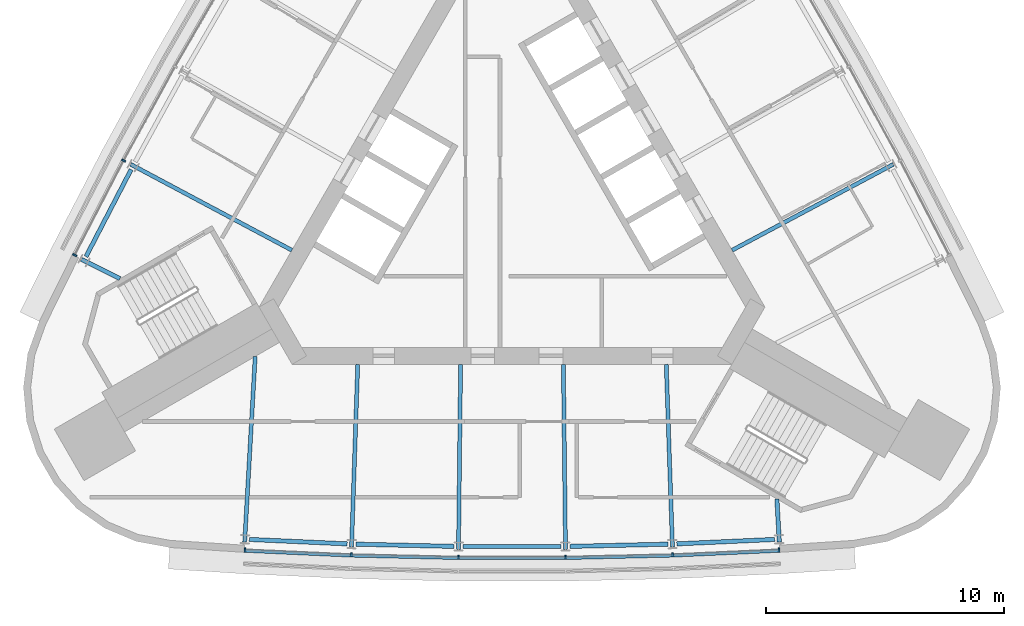
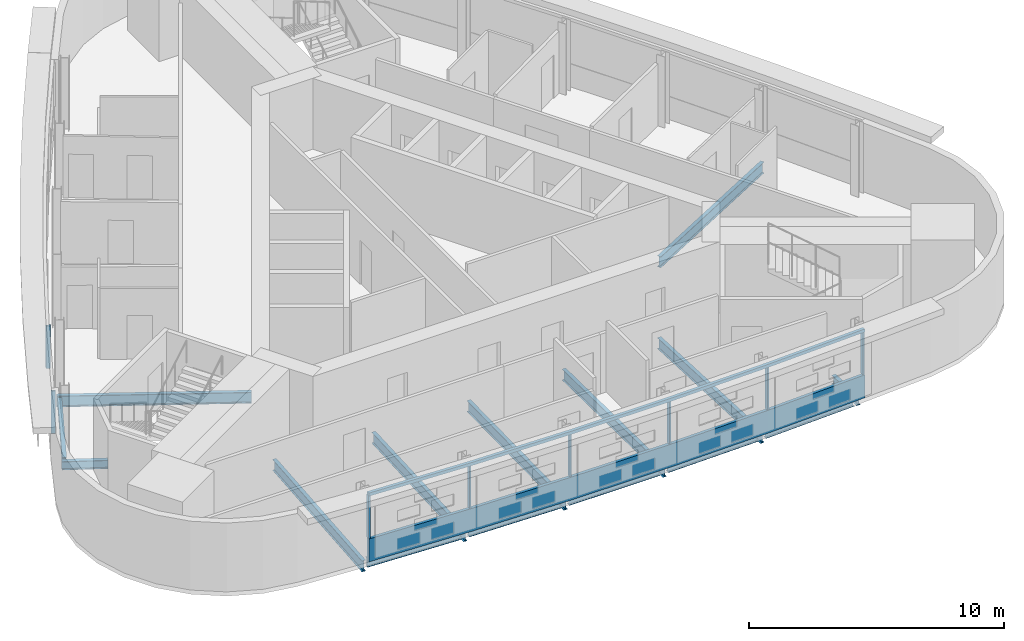
# One storey, part 2 of 9: 15 beams, 10 members, 2 elements without a shape of their own.
"""IFC4 building model written with IfcOpenShell, lengths in metres."""

from ifc_helpers import new_model, si_unit, direction, frame, origin, origin_2d, place, context, subcontext, project, spatial, polyline, rectangle, i_section, outline, extrude, material, material_profile, profile_set, type_object, element, aggregate, save


model = new_model("IFC4")

# Units and contexts
model_context = context("Model", 3, precision=1e-05, world=origin(), true_north=direction((0.0, 1.0)))
body_context = subcontext(model_context, "Body", "Model", "MODEL_VIEW")
ifc_project = project(units=[si_unit("LENGTHUNIT", "METRE"), si_unit("AREAUNIT", "SQUARE_METRE"), si_unit("VOLUMEUNIT", "CUBIC_METRE"), si_unit("PLANEANGLEUNIT", "RADIAN"), si_unit("MASSUNIT", "GRAM", prefix="KILO")], contexts=[model_context])

# Site, building, storey
site_placement = place(None, origin())
site = spatial("IfcSite", under=ifc_project, at=site_placement, CompositionType="ELEMENT")
building_placement = place(site_placement, origin())
building = spatial("IfcBuilding", under=site, at=building_placement, Name="Noor Cloister Tower", CompositionType="ELEMENT")
storey_placement = place(building_placement, frame((0.0, 0.0, 236.39990234375)))
storey = spatial("IfcBuildingStorey", under=building, at=storey_placement, Name="L61", CompositionType="ELEMENT", Elevation=236.39990234375)

# Curtain wall, member
ifc_material_1 = material(Name="Aluminium 6063-T6 anodised", Category="aluminium")
curtain_wall_type = type_object("IfcCurtainWallType", Name="Ribbon curtain wall, upper tower CW5", PredefinedType="NOTDEFINED", material=ifc_material_1)
curtain_wall_1_placement = place(storey_placement, origin())
curtain_wall_1 = element("IfcCurtainWall", 1, at=curtain_wall_1_placement, inside=storey, type_object=curtain_wall_type, Name="CW5 L61 S run 2", PredefinedType="NOTDEFINED")
ifc_material_2 = material(Name="Aluminium 6063-T6 anodised", Category="aluminium")
member_type_1 = type_object("IfcMemberType", Name="Head transom CW5 150", PredefinedType="USERDEFINED", material=ifc_material_2)
member_1_placement = place(storey_placement, frame((0.0, 0.0, 3.150146484375)))
member_1 = element("IfcMember", 2, at=member_1_placement, type_object=member_type_1, Name="CW5 head transom", ObjectType="TRANSOM", PredefinedType="USERDEFINED", context=body_context, shape_type="SweptSolid", body=[
    extrude(outline(polyline([(-11.243896484375, -14.820068359375), (-6.748779296875, -15.02392578125), (-2.25, -15.125732421875), (2.25, -15.125732421875), (6.748779296875, -15.02392578125), (11.243896484375, -14.820068359375), (11.237548828125, -14.68017578125), (6.743896484375, -14.884033203125), (2.248291015625, -14.98583984375), (-2.248291015625, -14.98583984375), (-6.743896484375, -14.884033203125), (-11.237548828125, -14.68017578125), (-11.243896484375, -14.820068359375)])), origin(), (0.0, 0.0, 1.0), 0.14990234375),
])

# Curtain wall, members
curtain_wall_2_placement = place(storey_placement, origin())
curtain_wall_2 = element("IfcCurtainWall", 3, at=curtain_wall_2_placement, inside=storey, type_object=curtain_wall_type, Name="CW5 L61 NW run 1", PredefinedType="NOTDEFINED")
ifc_material_3 = material(Name="Aluminium 6063-T6 anodised", Category="aluminium")
ifc_material_profile_1 = material_profile(ifc_material_3, rectangle(XDim=0.179931640625, YDim=0.070068359375, at=origin_2d()), Name="180 x 70 mullion")
ifc_profile_set_1 = profile_set([ifc_material_profile_1], Name="Aluminium 6063-T6 anodised")
member_type_2 = type_object("IfcMemberType", Name="Mullion CW5 70 x 180", PredefinedType="MULLION", material=ifc_profile_set_1)
member_2_placement = place(storey_placement, frame((-16.297119140625, 1.620361328125, 1.10009765625), z_axis=(0.0, 0.0, 1.0), x_axis=(0.882510233786, -0.470293192874, 0.0)))
member_2 = element("IfcMember", 4, at=member_2_placement, type_object=member_type_2, Name="CW5 mullion 5", PredefinedType="MULLION", context=body_context, shape_type="SweptSolid", body=[
    extrude(rectangle(XDim=0.179931640625, YDim=0.070068359375, at=origin_2d()), origin(), (0.0, 0.0, 1.0), 2.050048828125),
])
member_3_placement = place(storey_placement, frame((-18.3515625, -2.342529296875, 1.10009765625), z_axis=(0.0, 0.0, 1.0), x_axis=(0.887779720384, -0.460268582541, 0.0)))
member_3 = element("IfcMember", 5, at=member_3_placement, type_object=member_type_2, Name="CW5 mullion 6", PredefinedType="MULLION", context=body_context, shape_type="SweptSolid", body=[
    extrude(rectangle(XDim=0.179931640625, YDim=0.070068359375, at=origin_2d()), origin(), (0.0, 0.0, 1.0), 2.050048828125),
])
aggregate(curtain_wall_2, [member_2, member_3])

# Member
member_4_placement = place(storey_placement, frame((-11.20458984375, -14.7216796875, 1.10009765625), z_axis=(0.0, 0.0, 1.0), x_axis=(0.045285575148, 0.998974082088, 0.0)))
member_4 = element("IfcMember", 6, at=member_4_placement, type_object=member_type_2, Name="CW5 mullion 1", PredefinedType="MULLION", context=body_context, shape_type="SweptSolid", body=[
    extrude(rectangle(XDim=0.179931640625, YDim=0.070068359375, at=origin_2d()), origin(), (0.0, 0.0, 1.0), 2.050048828125),
])

member_5_placement = place(storey_placement, frame((-6.745361328125, -14.923828125, 1.10009765625), z_axis=(0.0, 0.0, 1.0), x_axis=(0.033969264638, 0.999422877995, 0.0)))
member_5 = element("IfcMember", 7, at=member_5_placement, type_object=member_type_2, Name="CW5 mullion 2", PredefinedType="MULLION", context=body_context, shape_type="SweptSolid", body=[
    extrude(rectangle(XDim=0.179931640625, YDim=0.070068359375, at=origin_2d()), origin(), (0.0, 0.0, 1.0), 2.050048828125),
])

member_6_placement = place(storey_placement, frame((-2.248779296875, -15.02587890625, 1.10009765625), z_axis=(0.0, 0.0, 1.0), x_axis=(0.011325024885, 0.999935869849, 0.0)))
member_6 = element("IfcMember", 8, at=member_6_placement, type_object=member_type_2, Name="CW5 mullion 3", PredefinedType="MULLION", context=body_context, shape_type="SweptSolid", body=[
    extrude(rectangle(XDim=0.179931640625, YDim=0.070068359375, at=origin_2d()), origin(), (0.0, 0.0, 1.0), 2.050048828125),
])

member_7_placement = place(storey_placement, frame((2.248779296875, -15.02587890625, 1.10009765625), z_axis=(0.0, 0.0, 1.0), x_axis=(-0.011325024885, 0.999935869849, 0.0)))
member_7 = element("IfcMember", 9, at=member_7_placement, type_object=member_type_2, Name="CW5 mullion 4", PredefinedType="MULLION", context=body_context, shape_type="SweptSolid", body=[
    extrude(rectangle(XDim=0.179931640625, YDim=0.070068359375, at=origin_2d()), origin(), (0.0, 0.0, 1.0), 2.050048828125),
])

member_8_placement = place(storey_placement, frame((6.745361328125, -14.923828125, 1.10009765625), z_axis=(0.0, 0.0, 1.0), x_axis=(-0.033969264638, 0.999422877995, 0.0)))
member_8 = element("IfcMember", 10, at=member_8_placement, type_object=member_type_2, Name="CW5 mullion 5", PredefinedType="MULLION", context=body_context, shape_type="SweptSolid", body=[
    extrude(rectangle(XDim=0.179931640625, YDim=0.070068359375, at=origin_2d()), origin(), (0.0, 0.0, 1.0), 2.050048828125),
])

member_9_placement = place(storey_placement, frame((11.20458984375, -14.7216796875, 1.10009765625), z_axis=(0.0, 0.0, 1.0), x_axis=(-0.045285575148, 0.998974082088, 0.0)))
member_9 = element("IfcMember", 11, at=member_9_placement, type_object=member_type_2, Name="CW5 mullion 6", PredefinedType="MULLION", context=body_context, shape_type="SweptSolid", body=[
    extrude(rectangle(XDim=0.179931640625, YDim=0.070068359375, at=origin_2d()), origin(), (0.0, 0.0, 1.0), 2.050048828125),
])

# Beams
ifc_material_4 = material(Name="Steel ASTM A992 Gr 50", Category="steel")
ifc_material_profile_2 = material_profile(ifc_material_4, i_section(OverallWidth=0.177978515625, OverallDepth=0.406005859375, WebThickness=0.0078125, FlangeThickness=0.0126953125, FilletRadius=0.01025390625, at=origin_2d()), Name="W410x60")
ifc_profile_set_2 = profile_set([ifc_material_profile_2], Name="Steel ASTM A992 Gr 50")
beam_type_1 = type_object("IfcBeamType", Name="Radial beam W410x60", PredefinedType="BEAM", material=ifc_profile_set_2)
for number, where, z_axis, x_axis, name in (
    (12, (-18.069091796875, -2.52294921875, -0.40283203125), (0.892938758835, -0.450178156923, 0.0), (0.450178156923, 0.892938758835, 0.0), "Radial beam NW 06 L61"),
    (13, (11.219482421875, -14.38671875, -0.40283203125), (-0.056642671396, 0.998394515098, 0.0), (-0.998394515098, -0.056642671396, 0.0), "Radial beam S 06 L61"),
):
    element("IfcBeam", number, at=place(storey_placement, frame(where, z_axis=z_axis, x_axis=x_axis)), inside=storey, type_object=beam_type_1, Name=name, PredefinedType="BEAM", context=body_context, shape_type="SweptSolid", body=[
        extrude(i_section(OverallWidth=0.177978515625, OverallDepth=0.406005859375, WebThickness=0.0078125, FlangeThickness=0.0126953125, FilletRadius=0.01025390625, at=origin_2d()), origin(), (0.0, 0.0, 1.0), 1.810302734375),
    ])
ifc_material_5 = material(Name="Steel ASTM A992 Gr 50", Category="steel")
ifc_material_profile_3 = material_profile(ifc_material_5, i_section(OverallWidth=0.166015625, OverallDepth=0.528076171875, WebThickness=0.009765625, FlangeThickness=0.013671875, FilletRadius=0.0126953125, at=origin_2d()), Name="W530x74")
ifc_profile_set_3 = profile_set([ifc_material_profile_3], Name="Steel ASTM A992 Gr 50")
beam_type_2 = type_object("IfcBeamType", Name="Radial beam W530x74", PredefinedType="BEAM", material=ifc_profile_set_3)
beam_1_placement = place(storey_placement, frame((-16.00244140625, 1.46337890625, -0.4638671875), z_axis=(0.882508044591, -0.470297300899, 0.0), x_axis=(0.470297300899, 0.882508044591, 0.0)))
element("IfcBeam", 14, at=beam_1_placement, inside=storey, type_object=beam_type_2, Name="Radial beam NW 05 L61", PredefinedType="BEAM", context=body_context, shape_type="SweptSolid", body=[
    extrude(i_section(OverallWidth=0.166015625, OverallDepth=0.528076171875, WebThickness=0.009765625, FlangeThickness=0.013671875, FilletRadius=0.0126953125, at=origin_2d()), origin(), (0.0, 0.0, 1.0), 7.666259765625),
])
beam_2_placement = place(storey_placement, frame((-11.219482421875, -14.38671875, -0.4638671875), z_axis=(0.056612193366, 0.998396243764, 0.0), x_axis=(-0.998396243764, 0.056612193366, 0.0)))
element("IfcBeam", 15, at=beam_2_placement, inside=storey, type_object=beam_type_2, Name="Radial beam S 01 L61", PredefinedType="BEAM", context=body_context, shape_type="SweptSolid", body=[
    extrude(i_section(OverallWidth=0.166015625, OverallDepth=0.528076171875, WebThickness=0.009765625, FlangeThickness=0.013671875, FilletRadius=0.0126953125, at=origin_2d()), origin(), (0.0, 0.0, 1.0), 7.80126953125),
])
beam_3_placement = place(storey_placement, frame((-6.73388671875, -14.590087890625, -0.4638671875), z_axis=(0.033947855953, 0.999423605423, 0.0), x_axis=(-0.999423605423, 0.033947855953, 0.0)))
element("IfcBeam", 16, at=beam_3_placement, inside=storey, type_object=beam_type_2, Name="Radial beam S 02 L61", PredefinedType="BEAM", context=body_context, shape_type="SweptSolid", body=[
    extrude(i_section(OverallWidth=0.166015625, OverallDepth=0.528076171875, WebThickness=0.009765625, FlangeThickness=0.013671875, FilletRadius=0.0126953125, at=origin_2d()), origin(), (0.0, 0.0, 1.0), 7.666259765625),
])
for number, where, z_axis, x_axis, name in (
    (17, (-2.2451171875, -14.69189453125, -0.4638671875), (0.011320029356, 0.999935926415, 0.0), (-0.999935926415, 0.011320029356, 0.0), "Radial beam S 03 L61"),
    (18, (2.2451171875, -14.69189453125, -0.4638671875), (-0.011320029356, 0.999935926415, 0.0), (-0.999935926415, -0.011320029356, 0.0), "Radial beam S 04 L61"),
):
    element("IfcBeam", number, at=place(storey_placement, frame(where, z_axis=z_axis, x_axis=x_axis)), inside=storey, type_object=beam_type_2, Name=name, PredefinedType="BEAM", context=body_context, shape_type="SweptSolid", body=[
        extrude(i_section(OverallWidth=0.166015625, OverallDepth=0.528076171875, WebThickness=0.009765625, FlangeThickness=0.013671875, FilletRadius=0.0126953125, at=origin_2d()), origin(), (0.0, 0.0, 1.0), 7.76416015625),
    ])
for number, where, z_axis, x_axis, name in (
    (19, (6.73388671875, -14.590087890625, -0.4638671875), (-0.033947855953, 0.999423605423, 0.0), (-0.999423605423, -0.033947855953, 0.0), "Radial beam S 05 L61"),
    (20, (16.00244140625, 1.46337890625, -0.4638671875), (-0.882508044591, -0.470297300899, 0.0), (0.470297300899, -0.882508044591, 0.0), "Radial beam NE 02 L61"),
):
    element("IfcBeam", number, at=place(storey_placement, frame(where, z_axis=z_axis, x_axis=x_axis)), inside=storey, type_object=beam_type_2, Name=name, PredefinedType="BEAM", context=body_context, shape_type="SweptSolid", body=[
        extrude(i_section(OverallWidth=0.166015625, OverallDepth=0.528076171875, WebThickness=0.009765625, FlangeThickness=0.013671875, FilletRadius=0.0126953125, at=origin_2d()), origin(), (0.0, 0.0, 1.0), 7.666259765625),
    ])

# Member
ifc_material_6 = material(Name="Aluminium 6063-T6 anodised", Category="aluminium")
member_type_3 = type_object("IfcMemberType", Name="Sill transom CW5 1100", PredefinedType="USERDEFINED", material=ifc_material_6)
member_10_placement = place(storey_placement, origin())
member_10 = element("IfcMember", 21, at=member_10_placement, type_object=member_type_3, Name="CW5 sill transom", ObjectType="TRANSOM", PredefinedType="USERDEFINED", context=body_context, shape_type="SweptSolid", body=[
    extrude(outline(polyline([(-11.243896484375, -14.820068359375), (-6.748779296875, -15.02392578125), (-2.25, -15.125732421875), (2.25, -15.125732421875), (6.748779296875, -15.02392578125), (11.243896484375, -14.820068359375), (11.237548828125, -14.68017578125), (6.743896484375, -14.884033203125), (2.248291015625, -14.98583984375), (-2.248291015625, -14.98583984375), (-6.743896484375, -14.884033203125), (-11.237548828125, -14.68017578125), (-11.243896484375, -14.820068359375)])), origin(), (0.0, 0.0, 1.0), 1.10009765625),
])

aggregate(curtain_wall_1, [member_4, member_5, member_6, member_7, member_8, member_9, member_10, member_1])

# Beams
ifc_material_7 = material(Name="Steel ASTM A992 Gr 50", Category="steel")
ifc_material_profile_4 = material_profile(ifc_material_7, i_section(OverallWidth=0.177978515625, OverallDepth=0.406005859375, WebThickness=0.0078125, FlangeThickness=0.0126953125, FilletRadius=0.01025390625, at=origin_2d()), Name="W410x60")
ifc_profile_set_4 = profile_set([ifc_material_profile_4], Name="Steel ASTM A992 Gr 50")
beam_type_3 = type_object("IfcBeamType", Name="Spandrel beam W410x60", PredefinedType="SPANDREL", material=ifc_profile_set_4)
for number, where, z_axis, x_axis, name in (
    (22, (-15.98583984375, 1.2431640625, -0.40283203125), (-0.46026693686, -0.887780573584, 0.0), (0.887780573584, -0.46026693686, 0.0), "Spandrel beam NW 05 L61"),
    (23, (-11.026611328125, -14.279296875, -0.40283203125), (0.998971962921, -0.045332298626, 0.0), (0.045332298626, 0.998971962921, 0.0), "Spandrel beam S 01 L61"),
):
    element("IfcBeam", number, at=place(storey_placement, frame(where, z_axis=z_axis, x_axis=x_axis)), inside=storey, type_object=beam_type_3, Name=name, PredefinedType="SPANDREL", context=body_context, shape_type="SweptSolid", body=[
        extrude(i_section(OverallWidth=0.177978515625, OverallDepth=0.406005859375, WebThickness=0.0078125, FlangeThickness=0.0126953125, FilletRadius=0.01025390625, at=origin_2d()), origin(), (0.0, 0.0, 1.0), 4.114501953125),
    ])
for number, where, z_axis, x_axis, name in (
    (24, (-6.54345703125, -14.478515625, -0.40283203125), (0.999744402433, -0.022608180041, 0.0), (0.022608180041, 0.999744402433, 0.0), "Spandrel beam S 02 L61"),
    (25, (-2.05712890625, -14.575927734375, -0.40283203125), (1.0, 0.0, 0.0), (0.0, 1.0, 0.0), "Spandrel beam S 03 L61"),
    (26, (2.43017578125, -14.571533203125, -0.40283203125), (0.999744402433, 0.022608180041, 0.0), (-0.022608180041, 0.999744402433, 0.0), "Spandrel beam S 04 L61"),
):
    element("IfcBeam", number, at=place(storey_placement, frame(where, z_axis=z_axis, x_axis=x_axis)), inside=storey, type_object=beam_type_3, Name=name, PredefinedType="SPANDREL", context=body_context, shape_type="SweptSolid", body=[
        extrude(i_section(OverallWidth=0.177978515625, OverallDepth=0.406005859375, WebThickness=0.0078125, FlangeThickness=0.0126953125, FilletRadius=0.01025390625, at=origin_2d()), origin(), (0.0, 0.0, 1.0), 4.1142578125),
    ])
beam_4_placement = place(storey_placement, frame((6.916259765625, -14.4658203125, -0.40283203125), z_axis=(0.998971962921, 0.045332298626, 0.0), x_axis=(-0.045332298626, 0.998971962921, 0.0)))
element("IfcBeam", 27, at=beam_4_placement, inside=storey, type_object=beam_type_3, Name="Spandrel beam S 05 L61", PredefinedType="SPANDREL", context=body_context, shape_type="SweptSolid", body=[
    extrude(i_section(OverallWidth=0.177978515625, OverallDepth=0.406005859375, WebThickness=0.0078125, FlangeThickness=0.0126953125, FilletRadius=0.01025390625, at=origin_2d()), origin(), (0.0, 0.0, 1.0), 4.114501953125),
])

save(model, "model.ifc")
